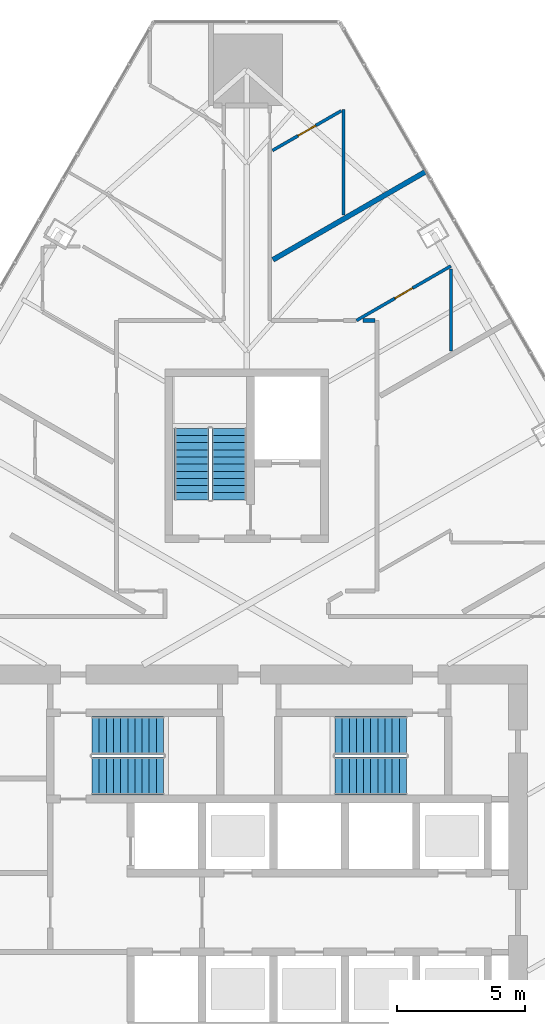
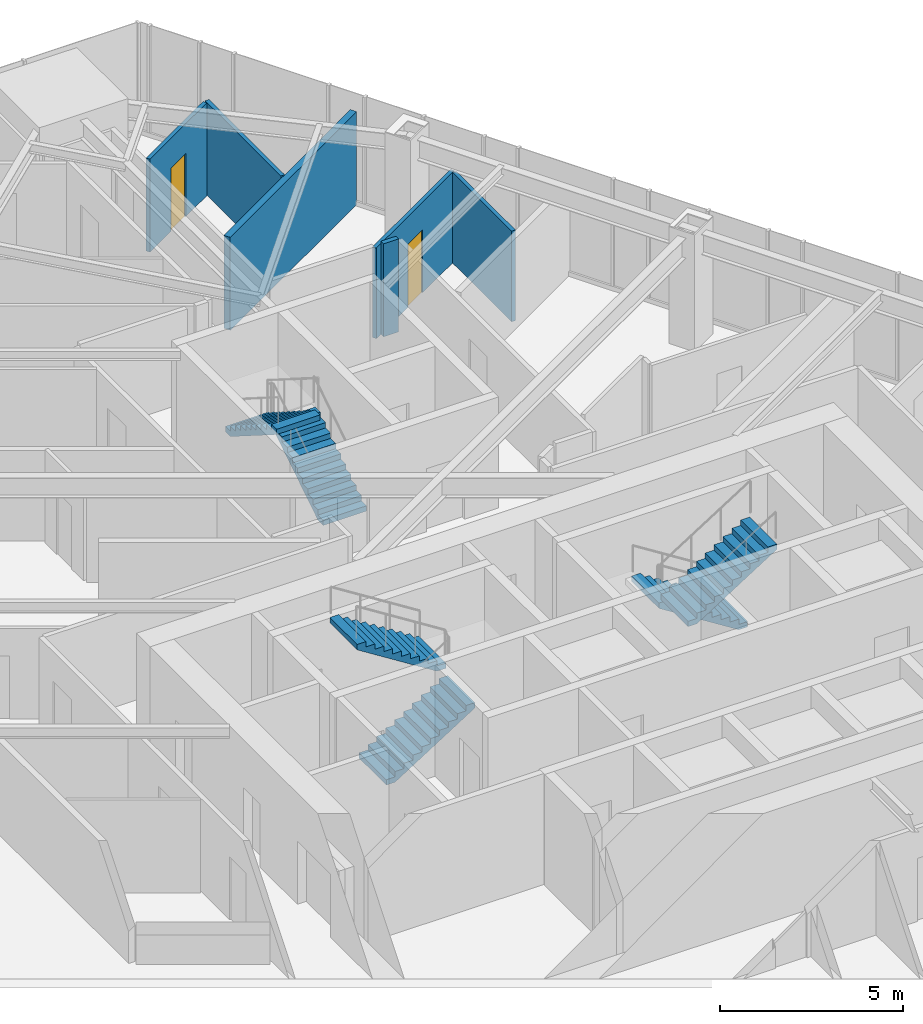
# One storey, part 24 of 26: 6 stair flights, 6 walls, 2 doors, 2 openings, 3 elements without a shape of their own.
"""IFC4 building model written with IfcOpenShell, lengths in metres."""

from ifc_helpers import new_model, si_unit, direction, frame, frame_2d, origin, place, context, subcontext, project, spatial, polyline, rectangle, outline, extrude, material, layer, layer_set, type_object, element, fill, aggregate, save


model = new_model("IFC4")

# Units and contexts
model_context = context("Model", 3, precision=1e-05, world=origin(), true_north=direction((0.0, 1.0)))
body_context = subcontext(model_context, "Body", "Model", "MODEL_VIEW")
ifc_project = project(units=[si_unit("LENGTHUNIT", "METRE"), si_unit("AREAUNIT", "SQUARE_METRE"), si_unit("VOLUMEUNIT", "CUBIC_METRE"), si_unit("PLANEANGLEUNIT", "RADIAN"), si_unit("MASSUNIT", "GRAM", prefix="KILO")], contexts=[model_context])

# Site, building, storey
site_placement = place(None, origin())
site = spatial("IfcSite", under=ifc_project, at=site_placement, CompositionType="ELEMENT")
building_placement = place(site_placement, origin())
building = spatial("IfcBuilding", under=site, at=building_placement, Name="Firuza Gate Tower and Library", CompositionType="ELEMENT")
storey_placement = place(building_placement, frame((0.0, 0.0, 175.300048828125)))
storey = spatial("IfcBuildingStorey", under=building, at=storey_placement, Name="L40", CompositionType="ELEMENT", Elevation=175.300048828125)

# Walls
ifc_material_1 = material(Name="Gypsum board partition")
ifc_layer_1 = layer(ifc_material_1, 0.14990234375)
ifc_layer_set_1 = layer_set([ifc_layer_1], Name="Corridor wall 150 double board on steel studs")
wall_type_1 = type_object("IfcWallType", Name="Corridor wall 150 double board on steel studs", PredefinedType="PARTITIONING", material=ifc_layer_set_1)
wall_1_placement = place(storey_placement, frame((79.5546875, 96.5, 0.0), z_axis=(0.0, 0.0, 1.0), x_axis=(1.0, 0.0, 0.0)))
element("IfcWall", 1, at=wall_1_placement, inside=storey, type_object=wall_type_1, Name="f:L40:w116", PredefinedType="PARTITIONING", context=body_context, shape_type="SweptSolid", body=[
    extrude(rectangle(XDim=0.47021484375, YDim=0.14990234375, at=frame_2d((0.235107421875, 0.0))), origin(), (0.0, 0.0, 1.0), 3.099853515625),
])
ifc_material_2 = material(Name="Gypsum board partition")
ifc_layer_2 = layer(ifc_material_2, 0.199951171875)
ifc_layer_set_2 = layer_set([ifc_layer_2], Name="Demising wall 200 acoustic double stud")
wall_type_2 = type_object("IfcWallType", Name="Demising wall 200 acoustic double stud", PredefinedType="PARTITIONING", material=ifc_layer_set_2)
wall_2_placement = place(storey_placement, frame((76.027099609375, 98.87646484375, 0.0), z_axis=(0.0, 0.0, 1.0), x_axis=(0.866023821458, 0.500002740659, 0.0)))
element("IfcWall", 2, at=wall_2_placement, inside=storey, type_object=wall_type_2, Name="f:L40:w043", PredefinedType="PARTITIONING", context=body_context, shape_type="SweptSolid", body=[
    extrude(rectangle(XDim=6.91162109375, YDim=0.199951171875, at=frame_2d((3.455810546875, 0.0))), origin(), (0.0, 0.0, 1.0), 3.099853515625),
])

# Wall, opening, door
ifc_material_3 = material(Name="Gypsum board partition")
ifc_layer_3 = layer(ifc_material_3, 0.1201171875)
ifc_layer_set_3 = layer_set([ifc_layer_3], Name="Wet-area partition 120 moisture-resistant board")
wall_type_3 = type_object("IfcWallType", Name="Wet-area partition 120 moisture-resistant board", PredefinedType="PARTITIONING", material=ifc_layer_set_3)
wall_3_placement = place(storey_placement, frame((83.000244140625, 98.633544921875, 0.0), z_axis=(0.0, 0.0, 1.0), x_axis=(-0.866013160285, -0.500021205763, 0.0)))
wall_3 = element("IfcWall", 3, at=wall_3_placement, inside=storey, type_object=wall_type_3, Name="f:L40:w042", PredefinedType="PARTITIONING", context=body_context, shape_type="SweptSolid", body=[
    extrude(rectangle(XDim=4.267822265625, YDim=0.1201171875, at=frame_2d((2.1337890625, 0.0))), origin(), (0.0, 0.0, 1.0), 3.02197265625),
])
opening_1_placement = place(wall_3_placement, frame((1.73388671875, 0.0, 0.0)))
opening_1 = element("IfcOpeningElement", 4, at=opening_1_placement, cuts=wall_3, Name="Opening L40-28", PredefinedType="OPENING", context=body_context, shape_type="SweptSolid", body=[
    extrude(rectangle(XDim=0.800048828125, YDim=2.10009765625, at=frame_2d((0.39990234375, 1.050048828125))), frame((0.0, 0.070068359375, 0.0), z_axis=(0.0, -1.0, 0.0), x_axis=(1.0, 0.0, 0.0)), (0.0, 0.0, 1.0), 0.14013671875),
])
ifc_material_4 = material(Name="Timber door", Category="wood")
door_type = type_object("IfcDoorType", Name="Door 800 x 2100 timber leaf", OperationType="NOTDEFINED", PredefinedType="DOOR", material=ifc_material_4)
door_1_placement = place(opening_1_placement, origin())
door_1 = element("IfcDoor", 5, at=door_1_placement, inside=storey, type_object=door_type, Name="f:L40:d028", OperationType="SINGLE_SWING_LEFT", OverallHeight=2.10009765625, OverallWidth=0.800048828125, PredefinedType="DOOR", context=body_context, shape_type="SweptSolid", body=[
    extrude(rectangle(XDim=0.800048828125, YDim=2.10009765625, at=frame_2d((0.39990234375, 1.050048828125))), frame((0.0, 0.02490234375, 0.0), z_axis=(0.0, -1.0, 0.0), x_axis=(1.0, 0.0, 0.0)), (0.0, 0.0, 1.0), 0.050048828125),
])
fill(opening_1, door_1)

wall_4_placement = place(storey_placement, frame((78.705322265625, 104.716064453125, 0.0), z_axis=(0.0, 0.0, 1.0), x_axis=(-0.866028856698, -0.499994019331, 0.0)))
wall_4 = element("IfcWall", 6, at=wall_4_placement, inside=storey, type_object=wall_type_3, Name="f:L40:w044", PredefinedType="PARTITIONING", context=body_context, shape_type="SweptSolid", body=[
    extrude(rectangle(XDim=3.11279296875, YDim=0.1201171875, at=frame_2d((1.556396484375, 0.0))), origin(), (0.0, 0.0, 1.0), 3.099853515625),
])
opening_2_placement = place(wall_4_placement, frame((1.156494140625, 0.0, 0.0)))
opening_2 = element("IfcOpeningElement", 7, at=opening_2_placement, cuts=wall_4, Name="Opening L40-29", PredefinedType="OPENING", context=body_context, shape_type="SweptSolid", body=[
    extrude(rectangle(XDim=0.800048828125, YDim=2.10009765625, at=frame_2d((0.39990234375, 1.050048828125))), frame((0.0, 0.070068359375, 0.0), z_axis=(0.0, -1.0, 0.0), x_axis=(1.0, 0.0, 0.0)), (0.0, 0.0, 1.0), 0.14013671875),
])
door_2_placement = place(opening_2_placement, origin())
door_2 = element("IfcDoor", 8, at=door_2_placement, inside=storey, type_object=door_type, Name="f:L40:d029", OperationType="SINGLE_SWING_LEFT", OverallHeight=2.10009765625, OverallWidth=0.800048828125, PredefinedType="DOOR", context=body_context, shape_type="SweptSolid", body=[
    extrude(rectangle(XDim=0.800048828125, YDim=2.10009765625, at=frame_2d((0.39990234375, 1.050048828125))), frame((0.0, 0.02490234375, 0.0), z_axis=(0.0, -1.0, 0.0), x_axis=(1.0, 0.0, 0.0)), (0.0, 0.0, 1.0), 0.050048828125),
])
fill(opening_2, door_2)

# Walls
wall_5_placement = place(storey_placement, frame((83.0, 95.296875, 0.0), z_axis=(0.0, 0.0, 1.0), x_axis=(0.0, 1.0, 0.0)))
element("IfcWall", 9, at=wall_5_placement, inside=storey, type_object=wall_type_3, Name="f:L40:w058", PredefinedType="PARTITIONING", context=body_context, shape_type="SweptSolid", body=[
    extrude(rectangle(XDim=3.227783203125, YDim=0.1201171875, at=frame_2d((1.61376953125, 0.0))), origin(), (0.0, 0.0, 1.0), 3.02197265625),
])
wall_6_placement = place(storey_placement, frame((78.800048828125, 100.633056640625, 0.0), z_axis=(0.0, 0.0, 1.0), x_axis=(0.0, 1.0, 0.0)))
element("IfcWall", 10, at=wall_6_placement, inside=storey, type_object=wall_type_3, Name="f:L40:w061", PredefinedType="PARTITIONING", context=body_context, shape_type="SweptSolid", body=[
    extrude(rectangle(XDim=4.137451171875, YDim=0.1201171875, at=frame_2d((2.06884765625, 0.0))), origin(), (0.0, 0.0, 1.0), 3.099853515625),
])

# Stair, stair flights
ifc_material_5 = material(Name="Concrete C35/45", Category="concrete")
stair_type_1 = type_object("IfcStairType", Name="Exit stair ST16", PredefinedType="HALF_TURN_STAIR", material=ifc_material_5)
placement = place(storey_placement, origin())
stair_1 = element("IfcStair", 11, at=placement, inside=storey, type_object=stair_type_1, Name="L40 Stair ST3", PredefinedType="HALF_TURN_STAIR")
ifc_material_6 = material(Name="Concrete C35/45", Category="concrete")
stair_flight_type_1 = type_object("IfcStairFlightType", Name="Stair flight 11 risers 177.3 width 1370", PredefinedType="STRAIGHT", material=ifc_material_6)
stair_flight_1_placement = place(storey_placement, frame((74.31494140625, 89.469970703125, 0.0), z_axis=(0.0, 0.0, 1.0), x_axis=(0.0, 1.0, 0.0)))
stair_flight_1 = element("IfcStairFlight", 12, at=stair_flight_1_placement, type_object=stair_flight_type_1, Name="ST3 flight 1", NumberOfRisers=11, NumberOfTreads=10, PredefinedType="STRAIGHT", RiserHeight=0.177272727, TreadLength=0.28, context=body_context, shape_type="SweptSolid", body=[
    extrude(outline(polyline([(0.0, 0.0), (0.0, 0.17724609375), (0.280029296875, 0.17724609375), (0.280029296875, 0.3544921875), (0.56005859375, 0.3544921875), (0.56005859375, 0.53173828125), (0.840087890625, 0.53173828125), (0.840087890625, 0.708984375), (1.1201171875, 0.708984375), (1.1201171875, 0.886474609375), (1.39990234375, 0.886474609375), (1.39990234375, 1.063720703125), (1.679931640625, 1.063720703125), (1.679931640625, 1.240966796875), (1.9599609375, 1.240966796875), (1.9599609375, 1.418212890625), (2.239990234375, 1.418212890625), (2.239990234375, 1.595458984375), (2.52001953125, 1.595458984375), (2.52001953125, 1.772705078125), (2.800048828125, 1.772705078125), (2.800048828125, 1.949951171875), (2.800048828125, 1.59521484375), (0.2802734375, 0.0), (0.0, 0.0)])), frame((0.0, 0.68505859375, 0.0), z_axis=(0.0, -1.0, 0.0), x_axis=(1.0, 0.0, 0.0)), (0.0, 0.0, 1.0), 1.3701171875),
])
stair_flight_2_placement = place(storey_placement, frame((72.844970703125, 92.27001953125, 1.949951171875), z_axis=(0.0, 0.0, 1.0), x_axis=(0.0, -1.0, 0.0)))
stair_flight_2 = element("IfcStairFlight", 13, at=stair_flight_2_placement, type_object=stair_flight_type_1, Name="ST3 flight 2", NumberOfRisers=11, NumberOfTreads=10, PredefinedType="STRAIGHT", RiserHeight=0.177272727, TreadLength=0.28, context=body_context, shape_type="SweptSolid", body=[
    extrude(outline(polyline([(0.0, 0.0), (0.0, 0.17724609375), (0.280029296875, 0.17724609375), (0.280029296875, 0.3544921875), (0.56005859375, 0.3544921875), (0.56005859375, 0.53173828125), (0.840087890625, 0.53173828125), (0.840087890625, 0.708984375), (1.1201171875, 0.708984375), (1.1201171875, 0.886474609375), (1.39990234375, 0.886474609375), (1.39990234375, 1.063720703125), (1.679931640625, 1.063720703125), (1.679931640625, 1.240966796875), (1.9599609375, 1.240966796875), (1.9599609375, 1.418212890625), (2.239990234375, 1.418212890625), (2.239990234375, 1.595458984375), (2.52001953125, 1.595458984375), (2.52001953125, 1.772705078125), (2.800048828125, 1.772705078125), (2.800048828125, 1.949951171875), (2.800048828125, 1.59521484375), (0.2802734375, 0.0), (0.0, 0.0)])), frame((0.0, 0.68505859375, 0.0), z_axis=(0.0, -1.0, 0.0), x_axis=(1.0, 0.0, 0.0)), (0.0, 0.0, 1.0), 1.3701171875),
])
aggregate(stair_1, [stair_flight_1, stair_flight_2])

ifc_material_7 = material(Name="Concrete C35/45", Category="concrete")
stair_type_2 = type_object("IfcStairType", Name="Exit stair ST7", PredefinedType="HALF_TURN_STAIR", material=ifc_material_7)
stair_2 = element("IfcStair", 14, at=placement, inside=storey, type_object=stair_type_2, Name="L40 Stair ST1", PredefinedType="HALF_TURN_STAIR")
ifc_material_8 = material(Name="Concrete C35/45", Category="concrete")
stair_flight_type_2 = type_object("IfcStairFlightType", Name="Stair flight 11 risers 177.3 width 1490", PredefinedType="STRAIGHT", material=ifc_material_8)
stair_flight_3_placement = place(storey_placement, frame((68.93994140625, 78.64501953125, 0.0), z_axis=(0.0, 0.0, 1.0), x_axis=(1.0, 0.0, 0.0)))
stair_flight_3 = element("IfcStairFlight", 15, at=stair_flight_3_placement, type_object=stair_flight_type_2, Name="ST1 flight 1", NumberOfRisers=11, NumberOfTreads=10, PredefinedType="STRAIGHT", RiserHeight=0.177272727, TreadLength=0.28, context=body_context, shape_type="SweptSolid", body=[
    extrude(outline(polyline([(0.0, 0.0), (0.0, 0.17724609375), (0.280029296875, 0.17724609375), (0.280029296875, 0.3544921875), (0.56005859375, 0.3544921875), (0.56005859375, 0.53173828125), (0.840087890625, 0.53173828125), (0.840087890625, 0.708984375), (1.1201171875, 0.708984375), (1.1201171875, 0.886474609375), (1.39990234375, 0.886474609375), (1.39990234375, 1.063720703125), (1.679931640625, 1.063720703125), (1.679931640625, 1.240966796875), (1.9599609375, 1.240966796875), (1.9599609375, 1.418212890625), (2.239990234375, 1.418212890625), (2.239990234375, 1.595458984375), (2.52001953125, 1.595458984375), (2.52001953125, 1.772705078125), (2.800048828125, 1.772705078125), (2.800048828125, 1.949951171875), (2.800048828125, 1.59521484375), (0.2802734375, 0.0), (0.0, 0.0)])), frame((0.0, 0.7451171875, 0.0), z_axis=(0.0, -1.0, 0.0), x_axis=(1.0, 0.0, 0.0)), (0.0, 0.0, 1.0), 1.489990234375),
])
stair_flight_4_placement = place(storey_placement, frame((71.739990234375, 80.235107421875, 1.949951171875), z_axis=(0.0, 0.0, 1.0), x_axis=(-1.0, 0.0, 0.0)))
stair_flight_4 = element("IfcStairFlight", 16, at=stair_flight_4_placement, type_object=stair_flight_type_2, Name="ST1 flight 2", NumberOfRisers=11, NumberOfTreads=10, PredefinedType="STRAIGHT", RiserHeight=0.177272727, TreadLength=0.28, context=body_context, shape_type="SweptSolid", body=[
    extrude(outline(polyline([(0.0, 0.0), (0.0, 0.17724609375), (0.280029296875, 0.17724609375), (0.280029296875, 0.3544921875), (0.56005859375, 0.3544921875), (0.56005859375, 0.53173828125), (0.840087890625, 0.53173828125), (0.840087890625, 0.708984375), (1.1201171875, 0.708984375), (1.1201171875, 0.886474609375), (1.39990234375, 0.886474609375), (1.39990234375, 1.063720703125), (1.679931640625, 1.063720703125), (1.679931640625, 1.240966796875), (1.9599609375, 1.240966796875), (1.9599609375, 1.418212890625), (2.239990234375, 1.418212890625), (2.239990234375, 1.595458984375), (2.52001953125, 1.595458984375), (2.52001953125, 1.772705078125), (2.800048828125, 1.772705078125), (2.800048828125, 1.949951171875), (2.800048828125, 1.59521484375), (0.2802734375, 0.0), (0.0, 0.0)])), frame((0.0, 0.7451171875, 0.0), z_axis=(0.0, -1.0, 0.0), x_axis=(1.0, 0.0, 0.0)), (0.0, 0.0, 1.0), 1.489990234375),
])
aggregate(stair_2, [stair_flight_3, stair_flight_4])

stair_3 = element("IfcStair", 17, at=placement, inside=storey, type_object=stair_type_2, Name="L40 Stair ST2", PredefinedType="HALF_TURN_STAIR")
stair_flight_5_placement = place(storey_placement, frame((81.260009765625, 80.235107421875, 0.0), z_axis=(0.0, 0.0, 1.0), x_axis=(-1.0, 0.0, 0.0)))
stair_flight_5 = element("IfcStairFlight", 18, at=stair_flight_5_placement, type_object=stair_flight_type_2, Name="ST2 flight 1", NumberOfRisers=11, NumberOfTreads=10, PredefinedType="STRAIGHT", RiserHeight=0.177272727, TreadLength=0.28, context=body_context, shape_type="SweptSolid", body=[
    extrude(outline(polyline([(0.0, 0.0), (0.0, 0.17724609375), (0.280029296875, 0.17724609375), (0.280029296875, 0.3544921875), (0.56005859375, 0.3544921875), (0.56005859375, 0.53173828125), (0.840087890625, 0.53173828125), (0.840087890625, 0.708984375), (1.1201171875, 0.708984375), (1.1201171875, 0.886474609375), (1.39990234375, 0.886474609375), (1.39990234375, 1.063720703125), (1.679931640625, 1.063720703125), (1.679931640625, 1.240966796875), (1.9599609375, 1.240966796875), (1.9599609375, 1.418212890625), (2.239990234375, 1.418212890625), (2.239990234375, 1.595458984375), (2.52001953125, 1.595458984375), (2.52001953125, 1.772705078125), (2.800048828125, 1.772705078125), (2.800048828125, 1.949951171875), (2.800048828125, 1.59521484375), (0.2802734375, 0.0), (0.0, 0.0)])), frame((0.0, 0.7451171875, 0.0), z_axis=(0.0, -1.0, 0.0), x_axis=(1.0, 0.0, 0.0)), (0.0, 0.0, 1.0), 1.489990234375),
])
stair_flight_6_placement = place(storey_placement, frame((78.4599609375, 78.64501953125, 1.949951171875), z_axis=(0.0, 0.0, 1.0), x_axis=(1.0, 0.0, 0.0)))
stair_flight_6 = element("IfcStairFlight", 19, at=stair_flight_6_placement, type_object=stair_flight_type_2, Name="ST2 flight 2", NumberOfRisers=11, NumberOfTreads=10, PredefinedType="STRAIGHT", RiserHeight=0.177272727, TreadLength=0.28, context=body_context, shape_type="SweptSolid", body=[
    extrude(outline(polyline([(0.0, 0.0), (0.0, 0.17724609375), (0.280029296875, 0.17724609375), (0.280029296875, 0.3544921875), (0.56005859375, 0.3544921875), (0.56005859375, 0.53173828125), (0.840087890625, 0.53173828125), (0.840087890625, 0.708984375), (1.1201171875, 0.708984375), (1.1201171875, 0.886474609375), (1.39990234375, 0.886474609375), (1.39990234375, 1.063720703125), (1.679931640625, 1.063720703125), (1.679931640625, 1.240966796875), (1.9599609375, 1.240966796875), (1.9599609375, 1.418212890625), (2.239990234375, 1.418212890625), (2.239990234375, 1.595458984375), (2.52001953125, 1.595458984375), (2.52001953125, 1.772705078125), (2.800048828125, 1.772705078125), (2.800048828125, 1.949951171875), (2.800048828125, 1.59521484375), (0.2802734375, 0.0), (0.0, 0.0)])), frame((0.0, 0.7451171875, 0.0), z_axis=(0.0, -1.0, 0.0), x_axis=(1.0, 0.0, 0.0)), (0.0, 0.0, 1.0), 1.489990234375),
])
aggregate(stair_3, [stair_flight_5, stair_flight_6])

save(model, "model.ifc")
